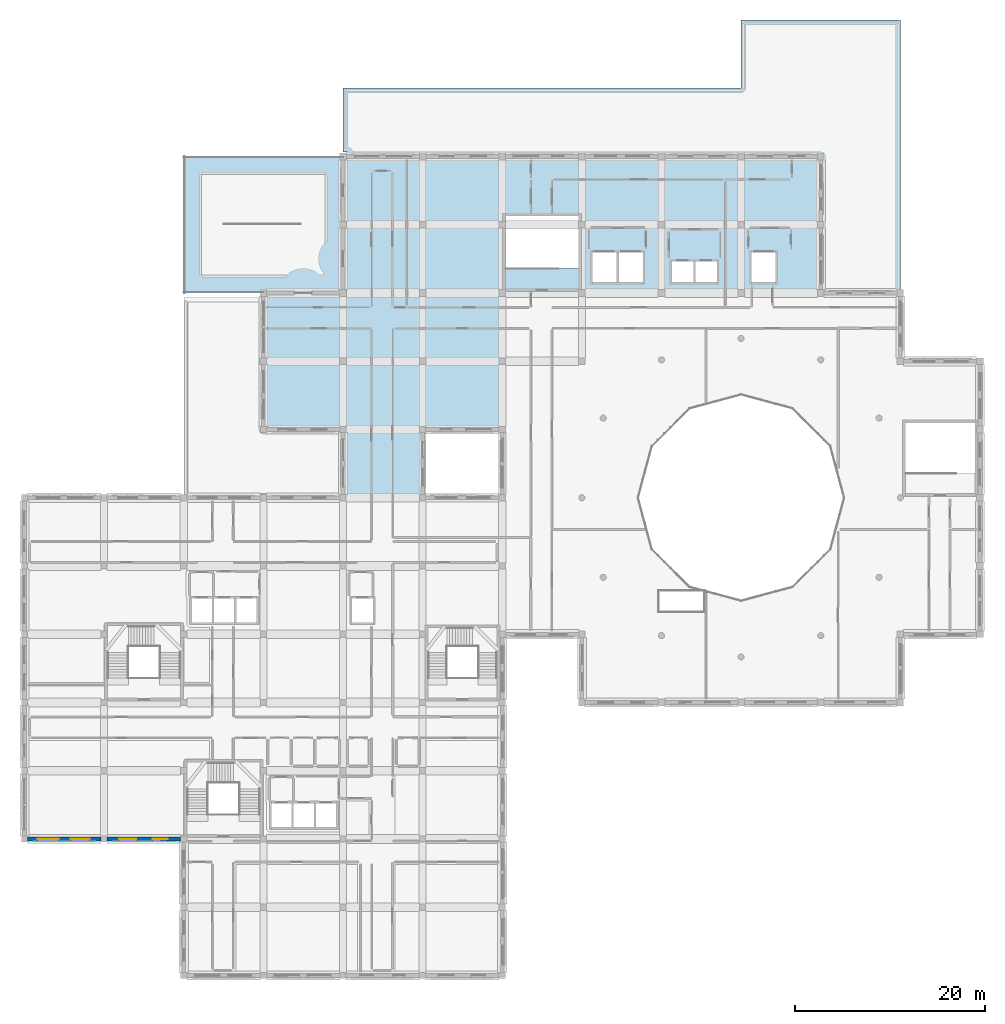
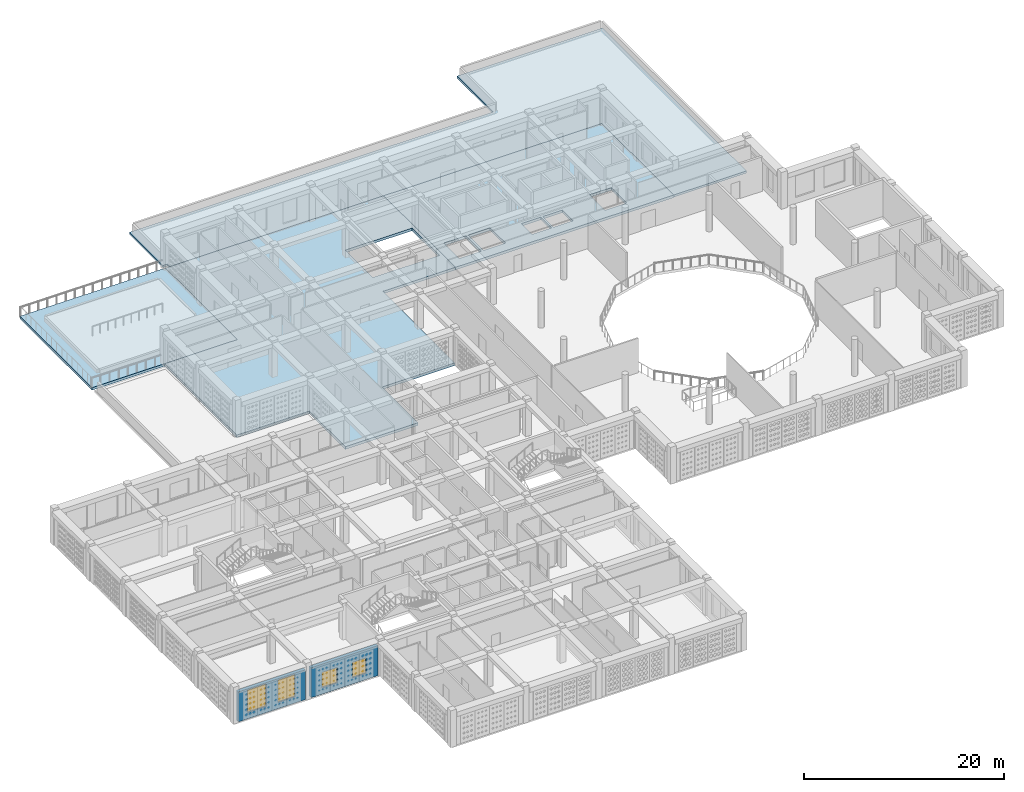
# One storey, part 3 of 47: 4 slabs, 4 windows, 2 walls, 4 openings.
"""IFC4 building model written with IfcOpenShell, lengths in metres."""

from ifc_helpers import new_model, si_unit, derived_unit, direction, frame, frame_2d, origin, place, context, subcontext, project, spatial, polyline, rectangle, outline, extrude, material, layer, layer_set, type_object, element, fill, save


model = new_model("IFC4")

# Units and contexts
model_context = context("Model", 3, precision=1e-05, world=origin(), true_north=direction((0.0, 1.0)))
body_context = subcontext(model_context, "Body", "Model", "MODEL_VIEW")
ifc_project = project(units=[si_unit("LENGTHUNIT", "METRE"), si_unit("AREAUNIT", "SQUARE_METRE"), si_unit("VOLUMEUNIT", "CUBIC_METRE"), si_unit("PLANEANGLEUNIT", "RADIAN"), si_unit("MASSUNIT", "GRAM", prefix="KILO"), derived_unit("THERMALTRANSMITTANCEUNIT", [(si_unit("POWERUNIT", "WATT"), 1), (si_unit("LENGTHUNIT", "METRE"), -2), (si_unit("THERMODYNAMICTEMPERATUREUNIT", "KELVIN"), -1)])], contexts=[model_context])

# Site, building, storey
site_placement = place(None, origin())
site = spatial("IfcSite", under=ifc_project, at=site_placement, CompositionType="ELEMENT")
building_placement = place(site_placement, origin())
building = spatial("IfcBuilding", under=site, at=building_placement, Name="Veybourne Emporium", CompositionType="ELEMENT")
storey_placement = place(building_placement, frame((0.0, 0.0, 23.39990234375)))
storey = spatial("IfcBuildingStorey", under=building, at=storey_placement, Name="L05", CompositionType="ELEMENT", Elevation=23.39990234375)

# Slabs
ifc_material_1 = material(Name="Concrete C32/40", Category="concrete")
ifc_layer_1 = layer(ifc_material_1, 0.320068359375)
ifc_layer_set_1 = layer_set([ifc_layer_1], Name="Concrete C32/40")
slab_type_1 = type_object("IfcSlabType", Name="Slab_FS-02", PredefinedType="FLOOR", material=ifc_layer_set_1)
slab_1_placement = place(storey_placement, frame((0.0, 0.0, -0.31982421875)))
element("IfcSlab", 1, at=slab_1_placement, inside=storey, type_object=slab_type_1, Name="L05 floor slab FS-02 (V5W.1)", PredefinedType="FLOOR", context=body_context, shape_type="SweptSolid", body=[
    extrude(outline(polyline([(25.199951171875, 57.60009765625), (25.199951171875, 64.800048828125), (25.199951171875, 72.0), (33.60009765625, 72.0), (33.60009765625, 79.199951171875), (33.60009765625, 86.39990234375), (42.0, 86.39990234375), (50.39990234375, 86.39990234375), (58.800048828125, 86.39990234375), (58.800048828125, 79.199951171875), (58.800048828125, 72.0), (50.39990234375, 72.0), (50.39990234375, 64.800048828125), (50.39990234375, 57.60009765625), (42.0, 57.60009765625), (42.0, 50.39990234375), (33.60009765625, 50.39990234375), (33.60009765625, 57.60009765625), (25.199951171875, 57.60009765625)]), holes=[polyline([(50.75, 74.60009765625), (58.449951171875, 74.60009765625), (58.449951171875, 80.10009765625), (50.75, 80.10009765625), (50.75, 74.60009765625)])]), origin(), (0.0, 0.0, 1.0), 0.31982421875),
])
slab_2_placement = place(storey_placement, frame((0.0, 0.0, -0.31982421875)))
element("IfcSlab", 2, at=slab_2_placement, inside=storey, type_object=slab_type_1, Name="L05 floor slab FS-02 (V5E.1)", PredefinedType="FLOOR", context=body_context, shape_type="SweptSolid", body=[
    extrude(outline(polyline([(58.800048828125, 86.39990234375), (67.199951171875, 86.39990234375), (75.60009765625, 86.39990234375), (84.0, 86.39990234375), (84.0, 79.199951171875), (84.0, 72.0), (75.60009765625, 72.0), (67.199951171875, 72.0), (58.800048828125, 72.0), (58.800048828125, 79.199951171875), (58.800048828125, 86.39990234375)]), holes=[polyline([(68.300048828125, 73.14990234375), (70.550048828125, 73.14990234375), (70.550048828125, 75.300048828125), (68.300048828125, 75.300048828125), (68.300048828125, 73.14990234375)]), polyline([(73.0400390625, 73.14990234375), (73.0400390625, 75.300048828125), (70.7900390625, 75.300048828125), (70.7900390625, 73.14990234375), (73.0400390625, 73.14990234375)]), polyline([(62.449951171875, 73.14990234375), (62.449951171875, 76.25), (59.89990234375, 76.25), (59.89990234375, 73.14990234375), (62.449951171875, 73.14990234375)]), polyline([(65.239990234375, 73.14990234375), (65.239990234375, 76.25), (62.68994140625, 76.25), (62.68994140625, 73.14990234375), (65.239990234375, 73.14990234375)]), polyline([(76.699951171875, 73.14990234375), (79.25, 73.14990234375), (79.25, 76.25), (76.699951171875, 76.25), (76.699951171875, 73.14990234375)])]), origin(), (0.0, 0.0, 1.0), 0.31982421875),
])
ifc_layer_2 = layer(ifc_material_1, 0.260009765625)
ifc_layer_set_2 = layer_set([ifc_layer_2], Name="Concrete C32/40")
slab_type_2 = type_object("IfcSlabType", Name="Slab_RS-01", PredefinedType="ROOF", material=ifc_layer_set_2)
slab_3_placement = place(storey_placement, frame((0.0, 0.0, -0.260009765625)))
element("IfcSlab", 3, at=slab_3_placement, inside=storey, type_object=slab_type_2, Name="L05 flat roof slab 2", PredefinedType="ROOF", context=body_context, shape_type="SweptSolid", body=[
    extrude(outline(polyline([(58.800048828125, 93.60009765625), (67.199951171875, 93.60009765625), (75.60009765625, 93.60009765625), (75.60009765625, 100.800048828125), (84.0, 100.800048828125), (92.39990234375, 100.800048828125), (92.39990234375, 93.60009765625), (92.39990234375, 86.39990234375), (92.39990234375, 79.199951171875), (92.39990234375, 72.0), (84.0, 72.0), (84.0, 79.199951171875), (84.0, 86.39990234375), (75.60009765625, 86.39990234375), (67.199951171875, 86.39990234375), (58.800048828125, 86.39990234375), (50.39990234375, 86.39990234375), (42.0, 86.39990234375), (34.10009765625, 86.39990234375), (34.10009765625, 86.89990234375), (33.60009765625, 86.89990234375), (33.60009765625, 93.60009765625), (42.0, 93.60009765625), (50.39990234375, 93.60009765625), (58.800048828125, 93.60009765625)])), origin(), (0.0, 0.0, 1.0), 0.260009765625),
])
ifc_layer_3 = layer(ifc_material_1, 0.320068359375)
ifc_layer_set_3 = layer_set([ifc_layer_3], Name="Concrete C32/40")
slab_type_3 = type_object("IfcSlabType", Name="Slab_TS-01", PredefinedType="FLOOR", material=ifc_layer_set_3)
slab_4_placement = place(storey_placement, frame((0.0, 0.0, -0.31982421875)))
element("IfcSlab", 4, at=slab_4_placement, inside=storey, type_object=slab_type_3, Name="L05 planted roof garden terrace slab 1", PredefinedType="FLOOR", context=body_context, shape_type="SweptSolid", body=[
    extrude(outline(polyline([(16.800048828125, 86.39990234375), (25.199951171875, 86.39990234375), (33.60009765625, 86.39990234375), (33.60009765625, 79.199951171875), (33.60009765625, 72.0), (25.199951171875, 72.0), (16.800048828125, 72.0), (16.800048828125, 79.199951171875), (16.800048828125, 86.39990234375)])), origin(), (0.0, 0.0, 1.0), 0.31982421875),
])

# Wall, openings, windows
ifc_material_2 = material(Name="Portland Limestone Ashlar", Category="masonry")
ifc_layer_4 = layer(ifc_material_2, 0.3798828125)
ifc_layer_set_4 = layer_set([ifc_layer_4], Name="Portland Limestone Ashlar")
wall_type = type_object("IfcWallType", Name="ExtWall_EW-03", PredefinedType="SOLIDWALL", material=ifc_layer_set_4)
wall_1_placement = place(storey_placement, frame((8.074951171875, 14.39990234375, 0.0), z_axis=(0.0, 0.0, 1.0), x_axis=(-1.0, 0.0, 0.0)))
wall_1 = element("IfcWall", 5, at=wall_1_placement, inside=storey, type_object=wall_type, Name="L05 Portland stone external wall 001", PredefinedType="SOLIDWALL", context=body_context, shape_type="SweptSolid", body=[
    extrude(rectangle(XDim=7.75, YDim=0.3798828125, at=frame_2d((3.875, 0.0))), origin(), (0.0, 0.0, 1.0), 3.66015625),
])
opening_1_placement = place(wall_1_placement, frame((1.169921875, 0.0, 0.75)))
opening_1 = element("IfcOpeningElement", 6, at=opening_1_placement, cuts=wall_1, Name="Opening W-45", PredefinedType="OPENING", context=body_context, shape_type="SweptSolid", body=[
    extrude(rectangle(XDim=2.0, YDim=2.760009765625, at=frame_2d((1.0, 1.3798828125))), frame((0.0, 0.2099609375, 0.0), z_axis=(0.0, -1.0, 0.0), x_axis=(1.0, 0.0, 0.0)), (0.0, 0.0, 1.0), 0.419921875),
])
opening_2_placement = place(wall_1_placement, frame((4.47998046875, 0.0, 0.75)))
opening_2 = element("IfcOpeningElement", 7, at=opening_2_placement, cuts=wall_1, Name="Opening W-46", PredefinedType="OPENING", context=body_context, shape_type="SweptSolid", body=[
    extrude(rectangle(XDim=2.199951171875, YDim=2.760009765625, at=frame_2d((1.10009765625, 1.3798828125))), frame((0.0, 0.2099609375, 0.0), z_axis=(0.0, -1.0, 0.0), x_axis=(1.0, 0.0, 0.0)), (0.0, 0.0, 1.0), 0.419921875),
])
ifc_material_3 = material(Name="Low-E Triple Glazing", Category="glass")
window_type_1 = type_object("IfcWindowType", Name="Win_W-45", PartitioningType="TRIPLE_PANEL_VERTICAL", PredefinedType="WINDOW", material=ifc_material_3)
window_1_placement = place(opening_1_placement, origin())
window_1 = element("IfcWindow", 8, at=window_1_placement, inside=storey, type_object=window_type_1, Name="L05 tripartite bronze casement window W-45 (1.1)", OverallHeight=2.760009765625, OverallWidth=2.0, PartitioningType="TRIPLE_PANEL_VERTICAL", PredefinedType="WINDOW", context=body_context, shape_type="SweptSolid", body=[
    extrude(rectangle(XDim=2.0, YDim=2.760009765625, at=frame_2d((1.0, 1.3798828125))), frame((0.0, 0.030029296875, 0.0), z_axis=(0.0, -1.0, 0.0), x_axis=(1.0, 0.0, 0.0)), (0.0, 0.0, 1.0), 0.06005859375),
])
fill(opening_1, window_1)
window_type_2 = type_object("IfcWindowType", Name="Win_W-46", PartitioningType="TRIPLE_PANEL_VERTICAL", PredefinedType="WINDOW", material=ifc_material_3)
window_2_placement = place(opening_2_placement, origin())
window_2 = element("IfcWindow", 9, at=window_2_placement, inside=storey, type_object=window_type_2, Name="L05 tripartite bronze casement window W-46 (1.2)", OverallHeight=2.760009765625, OverallWidth=2.199951171875, PartitioningType="TRIPLE_PANEL_VERTICAL", PredefinedType="WINDOW", context=body_context, shape_type="SweptSolid", body=[
    extrude(rectangle(XDim=2.199951171875, YDim=2.760009765625, at=frame_2d((1.10009765625, 1.3798828125))), frame((0.0, 0.030029296875, 0.0), z_axis=(0.0, -1.0, 0.0), x_axis=(1.0, 0.0, 0.0)), (0.0, 0.0, 1.0), 0.06005859375),
])
fill(opening_2, window_2)

wall_2_placement = place(storey_placement, frame((16.47509765625, 14.39990234375, 0.0), z_axis=(0.0, 0.0, 1.0), x_axis=(-1.0, 0.0, 0.0)))
wall_2 = element("IfcWall", 10, at=wall_2_placement, inside=storey, type_object=wall_type, Name="L05 Portland stone external wall 008", PredefinedType="SOLIDWALL", context=body_context, shape_type="SweptSolid", body=[
    extrude(rectangle(XDim=7.75, YDim=0.3798828125, at=frame_2d((3.875, 0.0))), origin(), (0.0, 0.0, 1.0), 3.66015625),
])
opening_3_placement = place(wall_2_placement, frame((1.3701171875, 0.0, 0.75)))
opening_3 = element("IfcOpeningElement", 11, at=opening_3_placement, cuts=wall_2, Name="Opening W-03", PredefinedType="OPENING", context=body_context, shape_type="SweptSolid", body=[
    extrude(rectangle(XDim=1.60009765625, YDim=1.89990234375, at=frame_2d((0.800048828125, 0.949951171875))), frame((0.0, 0.2099609375, 0.0), z_axis=(0.0, -1.0, 0.0), x_axis=(1.0, 0.0, 0.0)), (0.0, 0.0, 1.0), 0.419921875),
])
opening_4_placement = place(wall_2_placement, frame((4.679931640625, 0.0, 0.75)))
opening_4 = element("IfcOpeningElement", 12, at=opening_4_placement, cuts=wall_2, Name="Opening W-04", PredefinedType="OPENING", context=body_context, shape_type="SweptSolid", body=[
    extrude(rectangle(XDim=1.800048828125, YDim=1.89990234375, at=frame_2d((0.89990234375, 0.949951171875))), frame((0.0, 0.2099609375, 0.0), z_axis=(0.0, -1.0, 0.0), x_axis=(1.0, 0.0, 0.0)), (0.0, 0.0, 1.0), 0.419921875),
])
window_type_3 = type_object("IfcWindowType", Name="Win_W-03", PartitioningType="DOUBLE_PANEL_VERTICAL", PredefinedType="WINDOW", material=ifc_material_3)
window_3_placement = place(opening_3_placement, origin())
window_3 = element("IfcWindow", 13, at=window_3_placement, inside=storey, type_object=window_type_3, Name="L05 tripartite bronze casement window W-03 (8.1)", OverallHeight=1.89990234375, OverallWidth=1.60009765625, PartitioningType="DOUBLE_PANEL_VERTICAL", PredefinedType="WINDOW", context=body_context, shape_type="SweptSolid", body=[
    extrude(rectangle(XDim=1.60009765625, YDim=1.89990234375, at=frame_2d((0.800048828125, 0.949951171875))), frame((0.0, 0.030029296875, 0.0), z_axis=(0.0, -1.0, 0.0), x_axis=(1.0, 0.0, 0.0)), (0.0, 0.0, 1.0), 0.06005859375),
])
fill(opening_3, window_3)
window_type_4 = type_object("IfcWindowType", Name="Win_W-04", PartitioningType="DOUBLE_PANEL_VERTICAL", PredefinedType="WINDOW", material=ifc_material_3)
window_4_placement = place(opening_4_placement, origin())
window_4 = element("IfcWindow", 14, at=window_4_placement, inside=storey, type_object=window_type_4, Name="L05 tripartite bronze casement window W-04 (8.2)", OverallHeight=1.89990234375, OverallWidth=1.800048828125, PartitioningType="DOUBLE_PANEL_VERTICAL", PredefinedType="WINDOW", context=body_context, shape_type="SweptSolid", body=[
    extrude(rectangle(XDim=1.800048828125, YDim=1.89990234375, at=frame_2d((0.89990234375, 0.949951171875))), frame((0.0, 0.030029296875, 0.0), z_axis=(0.0, -1.0, 0.0), x_axis=(1.0, 0.0, 0.0)), (0.0, 0.0, 1.0), 0.06005859375),
])
fill(opening_4, window_4)

save(model, "model.ifc")
